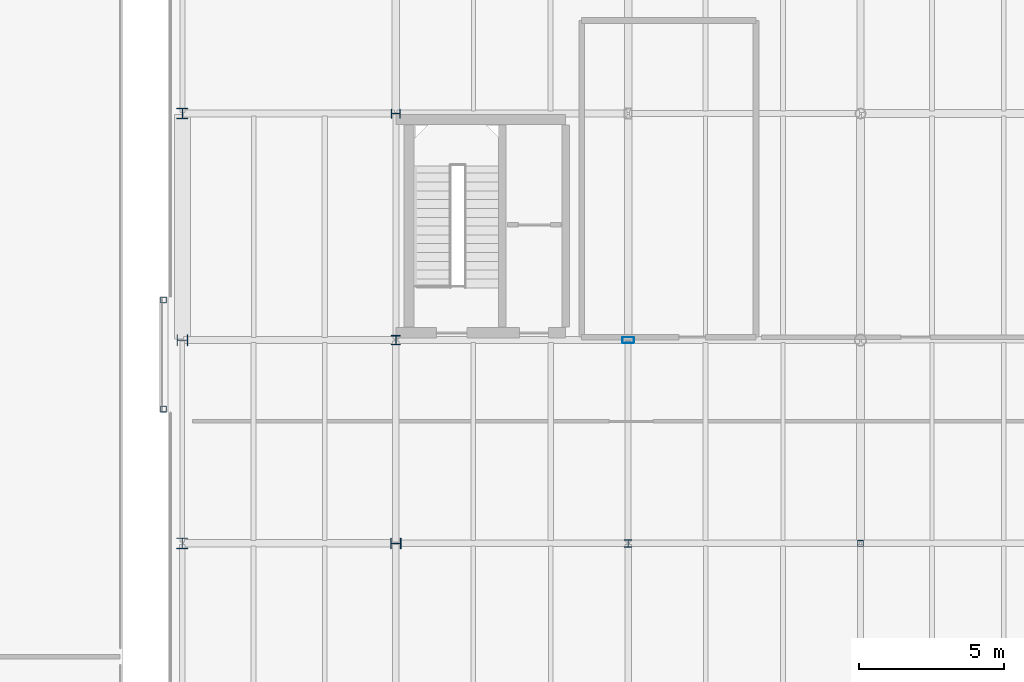
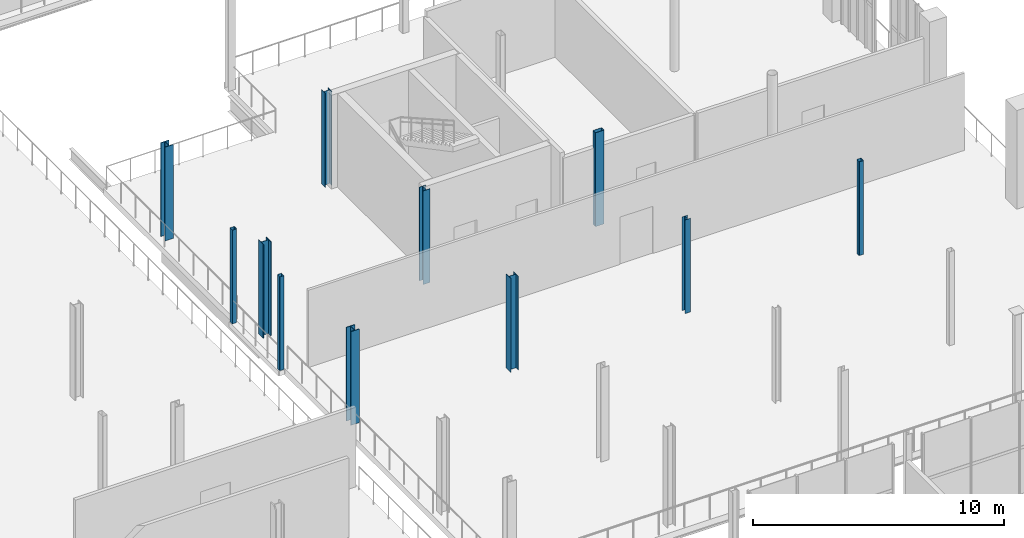
# One storey, part 16 of 93: 11 columns.
"""IFC4 building model written with IfcOpenShell, lengths in metres."""

from ifc_helpers import new_model, si_unit, direction, frame, origin, origin_2d, place, context, subcontext, project, spatial, hollow_rectangle, i_section, extrude, material, material_profile, profile_set, type_object, element, save


model = new_model("IFC4")

# Units and contexts
model_context = context("Model", 3, precision=1e-05, world=origin(), true_north=direction((0.0, 1.0)))
body_context = subcontext(model_context, "Body", "Model", "MODEL_VIEW")
ifc_project = project(units=[si_unit("LENGTHUNIT", "METRE"), si_unit("AREAUNIT", "SQUARE_METRE"), si_unit("VOLUMEUNIT", "CUBIC_METRE"), si_unit("PLANEANGLEUNIT", "RADIAN"), si_unit("MASSUNIT", "GRAM", prefix="KILO")], contexts=[model_context])

# Site, building, storey
site_placement = place(None, origin())
site = spatial("IfcSite", under=ifc_project, at=site_placement, CompositionType="ELEMENT")
building_placement = place(site_placement, origin())
building = spatial("IfcBuilding", under=site, at=building_placement, Name="Brisemont Oceanarium", CompositionType="ELEMENT")
storey_placement = place(building_placement, frame((0.0, 0.0, 5.39990234375)))
storey = spatial("IfcBuildingStorey", under=building, at=storey_placement, Name="L01", CompositionType="ELEMENT", Elevation=5.39990234375)

# Columns
ifc_material_1 = material(Name="Structural Steel ASTM A500 Gr.C", Category="steel")
ifc_material_profile_1 = material_profile(ifc_material_1, hollow_rectangle(XDim=0.202880859375, YDim=0.406005859375, WallThickness=0.01171875, InnerFilletRadius=0.01220703125, OuterFilletRadius=0.02392578125, at=origin_2d()), Name="HSS16X8X1/2")
ifc_profile_set_1 = profile_set([ifc_material_profile_1], Name="Structural Steel ASTM A500 Gr.C")
column_type_1 = type_object("IfcColumnType", Name="COL-HSS16X8", PredefinedType="COLUMN", material=ifc_profile_set_1)
column_1_placement = place(storey_placement, frame((128.0, 56.0, 0.0), z_axis=(0.0, 0.0, 1.0), x_axis=(0.0, 1.0, 0.0)))
element("IfcColumn", 1, at=column_1_placement, inside=storey, type_object=column_type_1, Name="V5E L01 column (2,3)", PredefinedType="COLUMN", context=body_context, shape_type="SweptSolid", body=[
    extrude(hollow_rectangle(XDim=0.202880859375, YDim=0.406005859375, WallThickness=0.01171875, InnerFilletRadius=0.01220703125, OuterFilletRadius=0.02392578125, at=origin_2d()), origin(), (0.0, 0.0, 1.0), 4.56005859375),
])
ifc_material_2 = material(Name="Structural Steel ASTM A500 Gr.C", Category="steel")
ifc_material_profile_2 = material_profile(ifc_material_2, hollow_rectangle(XDim=0.202880859375, YDim=0.202880859375, WallThickness=0.0087890625, InnerFilletRadius=0.009033203125, OuterFilletRadius=0.01806640625, at=origin_2d()), Name="HSS8X8X3/8")
ifc_profile_set_2 = profile_set([ifc_material_profile_2], Name="Structural Steel ASTM A500 Gr.C")
column_type_2 = type_object("IfcColumnType", Name="COL-HSS8X8", PredefinedType="COLUMN", material=ifc_profile_set_2)
for number, where, z_axis, x_axis, name in (
    (2, (136.0, 49.0, 0.0), (0.0, 0.0, 1.0), (0.0, 1.0, 0.0), "V5E L01 column (3,2)"),
    (3, (112.0, 53.6201171875, 0.0), (0.0, 0.0, 1.0), (1.0, 0.0, 0.0), "Seismic bridge pier L01"),
    (4, (112.0, 57.3798828125, 0.0), (0.0, 0.0, 1.0), (1.0, 0.0, 0.0), "Seismic bridge pier L01"),
):
    element("IfcColumn", number, at=place(storey_placement, frame(where, z_axis=z_axis, x_axis=x_axis)), inside=storey, type_object=column_type_2, Name=name, PredefinedType="COLUMN", context=body_context, shape_type="SweptSolid", body=[
        extrude(hollow_rectangle(XDim=0.202880859375, YDim=0.202880859375, WallThickness=0.0087890625, InnerFilletRadius=0.009033203125, OuterFilletRadius=0.01806640625, at=origin_2d()), origin(), (0.0, 0.0, 1.0), 4.56005859375),
    ])
ifc_material_3 = material(Name="Structural Steel ASTM A992 Gr.50", Category="steel")
ifc_material_profile_3 = material_profile(ifc_material_3, i_section(OverallWidth=0.25390625, OverallDepth=0.25390625, WebThickness=0.008544921875, FlangeThickness=0.01416015625, FilletRadius=0.010986328125, at=origin_2d()), Name="W10X49")
ifc_profile_set_3 = profile_set([ifc_material_profile_3], Name="Structural Steel ASTM A992 Gr.50")
column_type_3 = type_object("IfcColumnType", Name="COL-W10X49", PredefinedType="COLUMN", material=ifc_profile_set_3)
column_2_placement = place(storey_placement, frame((128.0, 49.0, 0.0), z_axis=(0.0, 0.0, 1.0), x_axis=(1.0, 0.0, 0.0)))
element("IfcColumn", 5, at=column_2_placement, inside=storey, type_object=column_type_3, Name="V5E L01 column (2,2)", PredefinedType="COLUMN", context=body_context, shape_type="SweptSolid", body=[
    extrude(i_section(OverallWidth=0.25390625, OverallDepth=0.25390625, WebThickness=0.008544921875, FlangeThickness=0.01416015625, FilletRadius=0.010986328125, at=origin_2d()), origin(), (0.0, 0.0, 1.0), 4.56005859375),
])
ifc_material_4 = material(Name="Structural Steel ASTM A992 Gr.50", Category="steel")
ifc_material_profile_4 = material_profile(ifc_material_4, i_section(OverallWidth=0.306884765625, OverallDepth=0.31494140625, WebThickness=0.011962890625, FlangeThickness=0.018798828125, FilletRadius=0.012939453125, at=origin_2d()), Name="W12X79")
ifc_profile_set_4 = profile_set([ifc_material_profile_4], Name="Structural Steel ASTM A992 Gr.50")
column_type_4 = type_object("IfcColumnType", Name="COL-W12X79", PredefinedType="COLUMN", material=ifc_profile_set_4)
column_3_placement = place(storey_placement, frame((120.0, 63.800048828125, 0.0), z_axis=(0.0, 0.0, 1.0), x_axis=(0.0, 1.0, 0.0)))
element("IfcColumn", 6, at=column_3_placement, inside=storey, type_object=column_type_4, Name="V5E L01 column (1,4)", PredefinedType="COLUMN", context=body_context, shape_type="SweptSolid", body=[
    extrude(i_section(OverallWidth=0.306884765625, OverallDepth=0.31494140625, WebThickness=0.011962890625, FlangeThickness=0.018798828125, FilletRadius=0.012939453125, at=origin_2d()), origin(), (0.0, 0.0, 1.0), 4.56005859375),
])
ifc_material_5 = material(Name="Structural Steel ASTM A992 Gr.50", Category="steel")
ifc_material_profile_5 = material_profile(ifc_material_5, i_section(OverallWidth=0.30810546875, OverallDepth=0.318115234375, WebThickness=0.01318359375, FlangeThickness=0.0205078125, FilletRadius=0.012939453125, at=origin_2d()), Name="W12X87")
ifc_profile_set_5 = profile_set([ifc_material_profile_5], Name="Structural Steel ASTM A992 Gr.50")
column_type_5 = type_object("IfcColumnType", Name="COL-W12X87", PredefinedType="COLUMN", material=ifc_profile_set_5)
column_4_placement = place(storey_placement, frame((120.0, 56.0, 0.0), z_axis=(0.0, 0.0, 1.0), x_axis=(1.0, 0.0, 0.0)))
element("IfcColumn", 7, at=column_4_placement, inside=storey, type_object=column_type_5, Name="V5E L01 column (1,3)", PredefinedType="COLUMN", context=body_context, shape_type="SweptSolid", body=[
    extrude(i_section(OverallWidth=0.30810546875, OverallDepth=0.318115234375, WebThickness=0.01318359375, FlangeThickness=0.0205078125, FilletRadius=0.012939453125, at=origin_2d()), origin(), (0.0, 0.0, 1.0), 4.56005859375),
])
ifc_material_6 = material(Name="Structural Steel ASTM A992 Gr.50", Category="steel")
ifc_material_profile_6 = material_profile(ifc_material_6, i_section(OverallWidth=0.3740234375, OverallDepth=0.3720703125, WebThickness=0.016357421875, FlangeThickness=0.026123046875, FilletRadius=0.014892578125, at=origin_2d()), Name="W14X132")
ifc_profile_set_6 = profile_set([ifc_material_profile_6], Name="Structural Steel ASTM A992 Gr.50")
column_type_6 = type_object("IfcColumnType", Name="COL-W14X132", PredefinedType="COLUMN", material=ifc_profile_set_6)
column_5_placement = place(storey_placement, frame((112.64990234375, 63.800048828125, 0.0), z_axis=(0.0, 0.0, 1.0), x_axis=(1.0, 0.0, 0.0)))
element("IfcColumn", 8, at=column_5_placement, inside=storey, type_object=column_type_6, Name="V5E L01 column (0,4)", PredefinedType="COLUMN", context=body_context, shape_type="SweptSolid", body=[
    extrude(i_section(OverallWidth=0.3740234375, OverallDepth=0.3720703125, WebThickness=0.016357421875, FlangeThickness=0.026123046875, FilletRadius=0.014892578125, at=origin_2d()), origin(), (0.0, 0.0, 1.0), 4.56005859375),
])
ifc_material_7 = material(Name="Structural Steel ASTM A992 Gr.50", Category="steel")
ifc_material_profile_7 = material_profile(ifc_material_7, i_section(OverallWidth=0.39404296875, OverallDepth=0.3759765625, WebThickness=0.017333984375, FlangeThickness=0.027587890625, FilletRadius=0.014892578125, at=origin_2d()), Name="W14X145")
ifc_profile_set_7 = profile_set([ifc_material_profile_7], Name="Structural Steel ASTM A992 Gr.50")
column_type_7 = type_object("IfcColumnType", Name="COL-W14X145", PredefinedType="COLUMN", material=ifc_profile_set_7)
column_6_placement = place(storey_placement, frame((112.64990234375, 56.0, 0.0), z_axis=(0.0, 0.0, 1.0), x_axis=(0.0, 1.0, 0.0)))
element("IfcColumn", 9, at=column_6_placement, inside=storey, type_object=column_type_7, Name="V5E L01 column (0,3)", PredefinedType="COLUMN", context=body_context, shape_type="SweptSolid", body=[
    extrude(i_section(OverallWidth=0.39404296875, OverallDepth=0.3759765625, WebThickness=0.017333984375, FlangeThickness=0.027587890625, FilletRadius=0.014892578125, at=origin_2d()), origin(), (0.0, 0.0, 1.0), 4.56005859375),
])
ifc_material_8 = material(Name="Structural Steel ASTM A992 Gr.50", Category="steel")
ifc_material_profile_8 = material_profile(ifc_material_8, i_section(OverallWidth=0.39501953125, OverallDepth=0.3798828125, WebThickness=0.018798828125, FlangeThickness=0.0302734375, FilletRadius=0.014892578125, at=origin_2d()), Name="W14X159")
ifc_profile_set_8 = profile_set([ifc_material_profile_8], Name="Structural Steel ASTM A992 Gr.50")
column_type_8 = type_object("IfcColumnType", Name="COL-W14X159", PredefinedType="COLUMN", material=ifc_profile_set_8)
column_7_placement = place(storey_placement, frame((112.64990234375, 49.0, 0.0), z_axis=(0.0, 0.0, 1.0), x_axis=(1.0, 0.0, 0.0)))
element("IfcColumn", 10, at=column_7_placement, inside=storey, type_object=column_type_8, Name="V5E L01 column (0,2)", PredefinedType="COLUMN", context=body_context, shape_type="SweptSolid", body=[
    extrude(i_section(OverallWidth=0.39501953125, OverallDepth=0.3798828125, WebThickness=0.018798828125, FlangeThickness=0.0302734375, FilletRadius=0.014892578125, at=origin_2d()), origin(), (0.0, 0.0, 1.0), 4.56005859375),
])
ifc_material_9 = material(Name="Structural Steel ASTM A992 Gr.50", Category="steel")
ifc_material_profile_9 = material_profile(ifc_material_9, i_section(OverallWidth=0.367919921875, OverallDepth=0.35595703125, WebThickness=0.01123046875, FlangeThickness=0.01806640625, FilletRadius=0.014892578125, at=origin_2d()), Name="W14X90")
ifc_profile_set_9 = profile_set([ifc_material_profile_9], Name="Structural Steel ASTM A992 Gr.50")
column_type_9 = type_object("IfcColumnType", Name="COL-W14X90", PredefinedType="COLUMN", material=ifc_profile_set_9)
column_8_placement = place(storey_placement, frame((120.0, 49.0, 0.0), z_axis=(0.0, 0.0, 1.0), x_axis=(0.0, 1.0, 0.0)))
element("IfcColumn", 11, at=column_8_placement, inside=storey, type_object=column_type_9, Name="V5E L01 column (1,2)", PredefinedType="COLUMN", context=body_context, shape_type="SweptSolid", body=[
    extrude(i_section(OverallWidth=0.367919921875, OverallDepth=0.35595703125, WebThickness=0.01123046875, FlangeThickness=0.01806640625, FilletRadius=0.014892578125, at=origin_2d()), origin(), (0.0, 0.0, 1.0), 4.56005859375),
])

save(model, "model.ifc")
